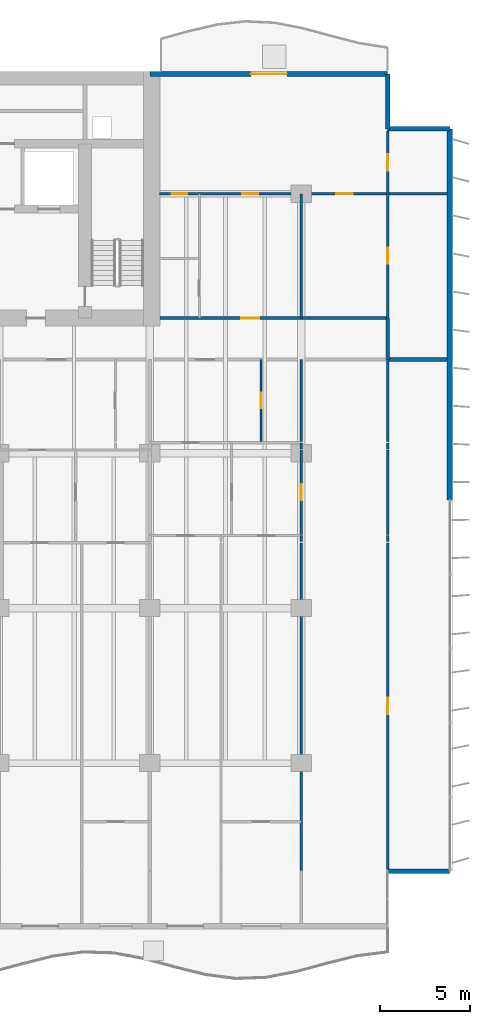
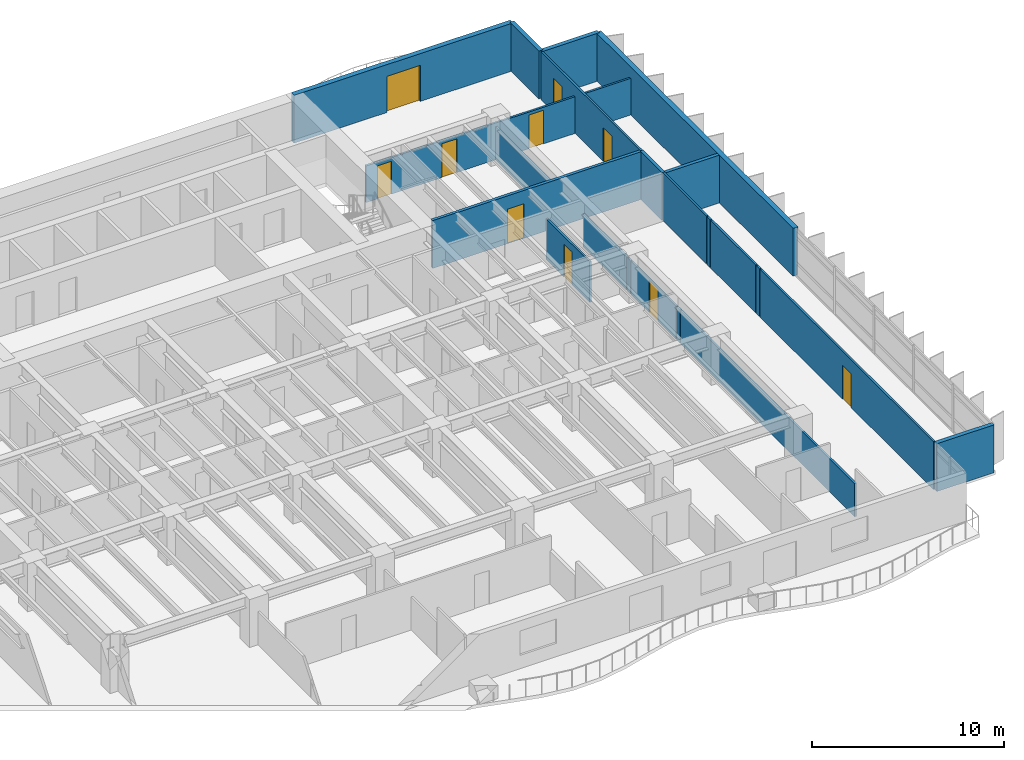
# One storey, part 12 of 17: 22 walls, 10 doors, 10 openings.
"""IFC4 building model written with IfcOpenShell, lengths in metres."""

from ifc_helpers import new_model, si_unit, direction, frame, frame_2d, origin, place, context, subcontext, project, spatial, rectangle, extrude, material, layer, layer_set, type_object, element, fill, save


model = new_model("IFC4")

# Units and contexts
model_context = context("Model", 3, precision=1e-05, world=origin(), true_north=direction((0.0, 1.0)))
body_context = subcontext(model_context, "Body", "Model", "MODEL_VIEW")
ifc_project = project(units=[si_unit("LENGTHUNIT", "METRE"), si_unit("AREAUNIT", "SQUARE_METRE"), si_unit("VOLUMEUNIT", "CUBIC_METRE"), si_unit("PLANEANGLEUNIT", "RADIAN"), si_unit("MASSUNIT", "GRAM", prefix="KILO")], contexts=[model_context])

# Site, building, storey
site_placement = place(None, origin())
site = spatial("IfcSite", under=ifc_project, at=site_placement, CompositionType="ELEMENT")
building_placement = place(site_placement, origin())
building = spatial("IfcBuilding", under=site, at=building_placement, Name="Caelmar Bay Residences", CompositionType="ELEMENT")
storey_placement = place(building_placement, frame((0.0, 0.0, 53.10009765625)))
storey = spatial("IfcBuildingStorey", under=building, at=storey_placement, Name="L13", CompositionType="ELEMENT", Elevation=53.10009765625)

# Wall
ifc_material_1 = material(Name="Double-stud acoustic fire-rated gypsum partition 180 mm")
ifc_layer_1 = layer(ifc_material_1, 0.179931640625)
ifc_layer_set_1 = layer_set([ifc_layer_1], Name="Double-stud acoustic fire-rated gypsum partition 180 mm")
wall_type_1 = type_object("IfcWallType", Name="W-COR-200", PredefinedType="PARTITIONING", material=ifc_layer_set_1)
wall_1_placement = place(storey_placement, frame((72.699951171875, 34.60498046875, 0.0), z_axis=(0.0, 0.0, 1.0), x_axis=(0.0, 1.0, 0.0)))
element("IfcWall", 1, at=wall_1_placement, inside=storey, type_object=wall_type_1, Name="L13 Partition Wall V111", PredefinedType="PARTITIONING", context=body_context, shape_type="SweptSolid", body=[
    extrude(rectangle(XDim=2.294921875, YDim=0.179931640625, at=frame_2d((1.1474609375, 0.0))), origin(), (0.0, 0.0, 1.0), 3.0498046875),
])

# Wall, opening, door
wall_2_placement = place(storey_placement, frame((60.054931640625, 36.89990234375, 0.0), z_axis=(0.0, 0.0, 1.0), x_axis=(1.0, 0.0, 0.0)))
wall_2 = element("IfcWall", 2, at=wall_2_placement, inside=storey, type_object=wall_type_1, Name="L13 Partition Wall H136", PredefinedType="PARTITIONING", context=body_context, shape_type="SweptSolid", body=[
    extrude(rectangle(XDim=12.64501953125, YDim=0.179931640625, at=frame_2d((6.322509765625, 0.0))), origin(), (0.0, 0.0, 1.0), 3.0498046875),
])
opening_1_placement = place(wall_2_placement, frame((4.52001953125, 0.0, 0.0)))
opening_1 = element("IfcOpeningElement", 3, at=opening_1_placement, cuts=wall_2, Name="Opening D-L13-174", PredefinedType="OPENING", context=body_context, shape_type="SweptSolid", body=[
    extrude(rectangle(XDim=1.0, YDim=2.199951171875, at=frame_2d((0.5, 1.10009765625))), frame((0.0, 0.099853515625, 0.0), z_axis=(0.0, -1.0, 0.0), x_axis=(1.0, 0.0, 0.0)), (0.0, 0.0, 1.0), 0.199951171875),
])
ifc_material_2 = material(Name="Fire-rated steel and walnut architectural door assembly", Category="steel")
ifc_layer_2 = layer(ifc_material_2, 0.050048828125)
ifc_layer_set_2 = layer_set([ifc_layer_2], Name="Fire-rated steel and walnut architectural door assembly")
door_type_1 = type_object("IfcDoorType", Name="D-UNIT-1000", OperationType="NOTDEFINED", PredefinedType="DOOR", material=ifc_layer_set_2)
door_1_placement = place(opening_1_placement, origin())
door_1 = element("IfcDoor", 4, at=door_1_placement, inside=storey, type_object=door_type_1, Name="L13 Residence EA Kitchen Door", OperationType="SINGLE_SWING_LEFT", OverallHeight=2.199951171875, OverallWidth=1.0, PredefinedType="DOOR", context=body_context, shape_type="SweptSolid", body=[
    extrude(rectangle(XDim=1.0, YDim=2.199951171875, at=frame_2d((0.5, 1.10009765625))), frame((0.0, 0.02490234375, 0.0), z_axis=(0.0, -1.0, 0.0), x_axis=(1.0, 0.0, 0.0)), (0.0, 0.0, 1.0), 0.050048828125),
])
fill(opening_1, door_1)

# Walls
ifc_material_3 = material(Name="Precast concrete f'c 40 MPa (6,000 psi)", Category="concrete")
ifc_layer_3 = layer(ifc_material_3, 0.25)
ifc_layer_set_3 = layer_set([ifc_layer_3], Name="Precast concrete f'c 40 MPa (6,000 psi)")
wall_type_2 = type_object("IfcWallType", Name="W-EXT-250", PredefinedType="ELEMENTEDWALL", material=ifc_layer_set_3)
wall_3_placement = place(storey_placement, frame((72.699951171875, 6.199951171875, 0.0), z_axis=(0.0, 0.0, 1.0), x_axis=(1.0, 0.0, 0.0)))
element("IfcWall", 5, at=wall_3_placement, inside=storey, type_object=wall_type_2, Name="L13 SE Notch Return Wall", PredefinedType="ELEMENTEDWALL", context=body_context, shape_type="SweptSolid", body=[
    extrude(rectangle(XDim=3.449951171875, YDim=0.25, at=frame_2d((1.72509765625, 0.0))), origin(), (0.0, 0.0, 1.0), 3.0498046875),
])
wall_4_placement = place(storey_placement, frame((72.699951171875, 50.449951171875, 0.0), z_axis=(0.0, 0.0, 1.0), x_axis=(0.0, -1.0, 0.0)))
element("IfcWall", 6, at=wall_4_placement, inside=storey, type_object=wall_type_2, Name="L13 NNE-V Notch Wall", PredefinedType="ELEMENTEDWALL", context=body_context, shape_type="SweptSolid", body=[
    extrude(rectangle(XDim=3.050048828125, YDim=0.25, at=frame_2d((1.52490234375, 0.0))), origin(), (0.0, 0.0, 1.0), 3.0498046875),
])
wall_5_placement = place(storey_placement, frame((72.699951171875, 47.39990234375, 0.0), z_axis=(0.0, 0.0, 1.0), x_axis=(1.0, 0.0, 0.0)))
element("IfcWall", 7, at=wall_5_placement, inside=storey, type_object=wall_type_2, Name="L13 NNE-H Notch Wall", PredefinedType="ELEMENTEDWALL", context=body_context, shape_type="SweptSolid", body=[
    extrude(rectangle(XDim=3.449951171875, YDim=0.25, at=frame_2d((1.72509765625, 0.0))), origin(), (0.0, 0.0, 1.0), 3.0498046875),
])
ifc_layer_4 = layer(ifc_material_3, 0.300048828125)
ifc_layer_set_4 = layer_set([ifc_layer_4], Name="Precast concrete f'c 40 MPa (6,000 psi)")
wall_type_3 = type_object("IfcWallType", Name="W-EXT-300", PredefinedType="STANDARD", material=ifc_layer_set_4)
wall_6_placement = place(storey_placement, frame((76.14990234375, 47.39990234375, 0.0), z_axis=(0.0, 0.0, 1.0), x_axis=(0.0, -1.0, 0.0)))
element("IfcWall", 8, at=wall_6_placement, inside=storey, type_object=wall_type_3, Name="L13 East Rear Exterior Wall", PredefinedType="STANDARD", context=body_context, shape_type="SweptSolid", body=[
    extrude(rectangle(XDim=20.599853515625, YDim=0.300048828125, at=frame_2d((10.2998046875, 0.0))), origin(), (0.0, 0.0, 1.0), 3.0498046875),
])

# Wall, opening, door
wall_7_placement = place(storey_placement, frame((59.5, 50.449951171875, 0.0), z_axis=(0.0, 0.0, 1.0), x_axis=(1.0, 0.0, 0.0)))
wall_7 = element("IfcWall", 9, at=wall_7_placement, inside=storey, type_object=wall_type_3, Name="L13 North-East Wing Exterior Wall", PredefinedType="STANDARD", context=body_context, shape_type="SweptSolid", body=[
    extrude(rectangle(XDim=13.199951171875, YDim=0.300048828125, at=frame_2d((6.60009765625, 0.0))), origin(), (0.0, 0.0, 1.0), 3.0498046875),
])
opening_2_placement = place(wall_7_placement, frame((5.60009765625, 0.0, 0.0)))
opening_2 = element("IfcOpeningElement", 10, at=opening_2_placement, cuts=wall_7, Name="Opening L13-BDNE", PredefinedType="OPENING", context=body_context, shape_type="SweptSolid", body=[
    extrude(rectangle(XDim=2.0, YDim=2.300048828125, at=frame_2d((1.0, 1.14990234375))), frame((0.0, 0.159912109375, 0.0), z_axis=(0.0, -1.0, 0.0), x_axis=(1.0, 0.0, 0.0)), (0.0, 0.0, 1.0), 0.320068359375),
])
ifc_material_4 = material(Name="Anodised bronze thermally broken sliding glass door", Category="glass")
ifc_layer_5 = layer(ifc_material_4, 0.050048828125)
ifc_layer_set_5 = layer_set([ifc_layer_5], Name="Anodised bronze thermally broken sliding glass door")
door_type_2 = type_object("IfcDoorType", Name="D-BAL-2000", OperationType="DOUBLE_DOOR_SLIDING", PredefinedType="DOOR", material=ifc_layer_set_5)
door_2_placement = place(opening_2_placement, origin())
door_2 = element("IfcDoor", 11, at=door_2_placement, inside=storey, type_object=door_type_2, Name="L13 North-East Balcony Door", OperationType="DOUBLE_DOOR_SLIDING", OverallHeight=2.300048828125, OverallWidth=2.0, PredefinedType="DOOR", context=body_context, shape_type="SweptSolid", body=[
    extrude(rectangle(XDim=2.0, YDim=2.300048828125, at=frame_2d((1.0, 1.14990234375))), frame((0.0, 0.02490234375, 0.0), z_axis=(0.0, -1.0, 0.0), x_axis=(1.0, 0.0, 0.0)), (0.0, 0.0, 1.0), 0.050048828125),
])
fill(opening_2, door_2)

ifc_material_5 = material(Name="Acoustic metal-stud gypsum partition 120 mm")
ifc_layer_6 = layer(ifc_material_5, 0.1201171875)
ifc_layer_set_6 = layer_set([ifc_layer_6], Name="Acoustic metal-stud gypsum partition 120 mm")
wall_type_4 = type_object("IfcWallType", Name="W-PRT-120", PredefinedType="PARTITIONING", material=ifc_layer_set_6)
wall_8_placement = place(storey_placement, frame((65.6708984375, 30.0400390625, 0.0), z_axis=(0.0, 0.0, 1.0), x_axis=(0.0, 1.0, 0.0)))
wall_8 = element("IfcWall", 12, at=wall_8_placement, inside=storey, type_object=wall_type_4, Name="L13 Partition Wall V098", PredefinedType="PARTITIONING", context=body_context, shape_type="SweptSolid", body=[
    extrude(rectangle(XDim=4.56005859375, YDim=0.1201171875, at=frame_2d((2.280029296875, 0.0))), origin(), (0.0, 0.0, 1.0), 2.577880859375),
])
opening_3_placement = place(wall_8_placement, frame((1.85498046875, 0.0, 0.0)))
opening_3 = element("IfcOpeningElement", 13, at=opening_3_placement, cuts=wall_8, Name="Opening D-L13-157", PredefinedType="OPENING", context=body_context, shape_type="SweptSolid", body=[
    extrude(rectangle(XDim=0.85009765625, YDim=2.10009765625, at=frame_2d((0.425048828125, 1.050048828125))), frame((0.0, 0.070068359375, 0.0), z_axis=(0.0, -1.0, 0.0), x_axis=(1.0, 0.0, 0.0)), (0.0, 0.0, 1.0), 0.14013671875),
])
ifc_material_6 = material(Name="Solid walnut timber interior door leaf and frame", Category="wood")
ifc_layer_7 = layer(ifc_material_6, 0.050048828125)
ifc_layer_set_7 = layer_set([ifc_layer_7], Name="Solid walnut timber interior door leaf and frame")
door_type_3 = type_object("IfcDoorType", Name="D-BATH-850", OperationType="NOTDEFINED", PredefinedType="DOOR", material=ifc_layer_set_7)
door_3_placement = place(opening_3_placement, origin())
door_3 = element("IfcDoor", 14, at=door_3_placement, inside=storey, type_object=door_type_3, Name="L13 Residence 05 Bathroom Door", OperationType="SINGLE_SWING_RIGHT", OverallHeight=2.10009765625, OverallWidth=0.85009765625, PredefinedType="DOOR", context=body_context, shape_type="SweptSolid", body=[
    extrude(rectangle(XDim=0.85009765625, YDim=2.10009765625, at=frame_2d((0.425048828125, 1.050048828125))), frame((0.0, 0.02490234375, 0.0), z_axis=(0.0, -1.0, 0.0), x_axis=(1.0, 0.0, 0.0)), (0.0, 0.0, 1.0), 0.050048828125),
])
fill(opening_3, door_3)

# Walls
wall_9_placement = place(storey_placement, frame((67.89990234375, 6.239990234375, 0.0), z_axis=(0.0, 0.0, 1.0), x_axis=(0.0, 1.0, 0.0)))
element("IfcWall", 15, at=wall_9_placement, inside=storey, type_object=wall_type_4, Name="L13 Partition Wall V100", PredefinedType="PARTITIONING", context=body_context, shape_type="SweptSolid", body=[
    extrude(rectangle(XDim=18.18994140625, YDim=0.1201171875, at=frame_2d((9.094970703125, 0.0))), origin(), (0.0, 0.0, 1.0), 2.10986328125),
])
wall_10_placement = place(storey_placement, frame((67.89990234375, 24.489990234375, 0.0), z_axis=(0.0, 0.0, 1.0), x_axis=(0.0, 1.0, 0.0)))
element("IfcWall", 16, at=wall_10_placement, inside=storey, type_object=wall_type_4, Name="L13 Partition Wall V101", PredefinedType="PARTITIONING", context=body_context, shape_type="SweptSolid", body=[
    extrude(rectangle(XDim=0.340087890625, YDim=0.1201171875, at=frame_2d((0.169921875, 0.0))), origin(), (0.0, 0.0, 1.0), 2.10986328125),
])

# Wall, opening, door
wall_11_placement = place(storey_placement, frame((67.89990234375, 24.889892578125, 0.0), z_axis=(0.0, 0.0, 1.0), x_axis=(0.0, 1.0, 0.0)))
wall_11 = element("IfcWall", 17, at=wall_11_placement, inside=storey, type_object=wall_type_4, Name="L13 Partition Wall V102", PredefinedType="PARTITIONING", context=body_context, shape_type="SweptSolid", body=[
    extrude(rectangle(XDim=4.690185546875, YDim=0.1201171875, at=frame_2d((2.34521484375, 0.0))), origin(), (0.0, 0.0, 1.0), 2.10986328125),
])
opening_4_placement = place(wall_11_placement, frame((1.89501953125, 0.0, 0.0)))
opening_4 = element("IfcOpeningElement", 18, at=opening_4_placement, cuts=wall_11, Name="Opening D-L13-163", PredefinedType="OPENING", context=body_context, shape_type="SweptSolid", body=[
    extrude(rectangle(XDim=0.89990234375, YDim=2.06005859375, at=frame_2d((0.449951171875, 1.030029296875))), frame((0.0, 0.070068359375, 0.0), z_axis=(0.0, -1.0, 0.0), x_axis=(1.0, 0.0, 0.0)), (0.0, 0.0, 1.0), 0.14013671875),
])
ifc_layer_8 = layer(ifc_material_6, 0.050048828125)
ifc_layer_set_8 = layer_set([ifc_layer_8], Name="Solid walnut timber interior door leaf and frame")
door_type_4 = type_object("IfcDoorType", Name="D-ROOM-900", OperationType="NOTDEFINED", PredefinedType="DOOR", material=ifc_layer_set_8)
door_4_placement = place(opening_4_placement, origin())
door_4 = element("IfcDoor", 19, at=door_4_placement, inside=storey, type_object=door_type_4, Name="L13 Residence 05 East Apartment Hall Door", OperationType="SINGLE_SWING_RIGHT", OverallHeight=2.06005859375, OverallWidth=0.89990234375, PredefinedType="DOOR", context=body_context, shape_type="SweptSolid", body=[
    extrude(rectangle(XDim=0.89990234375, YDim=2.06005859375, at=frame_2d((0.449951171875, 1.030029296875))), frame((0.0, 0.02490234375, 0.0), z_axis=(0.0, -1.0, 0.0), x_axis=(1.0, 0.0, 0.0)), (0.0, 0.0, 1.0), 0.050048828125),
])
fill(opening_4, door_4)

# Walls
wall_12_placement = place(storey_placement, frame((67.89990234375, 29.639892578125, 0.0), z_axis=(0.0, 0.0, 1.0), x_axis=(0.0, 1.0, 0.0)))
element("IfcWall", 20, at=wall_12_placement, inside=storey, type_object=wall_type_4, Name="L13 Partition Wall V103", PredefinedType="PARTITIONING", context=body_context, shape_type="SweptSolid", body=[
    extrude(rectangle(XDim=0.340087890625, YDim=0.1201171875, at=frame_2d((0.169921875, 0.0))), origin(), (0.0, 0.0, 1.0), 2.10986328125),
])
wall_13_placement = place(storey_placement, frame((67.89990234375, 30.0400390625, 0.0), z_axis=(0.0, 0.0, 1.0), x_axis=(0.0, 1.0, 0.0)))
element("IfcWall", 21, at=wall_13_placement, inside=storey, type_object=wall_type_4, Name="L13 Partition Wall V104", PredefinedType="PARTITIONING", context=body_context, shape_type="SweptSolid", body=[
    extrude(rectangle(XDim=4.56005859375, YDim=0.1201171875, at=frame_2d((2.280029296875, 0.0))), origin(), (0.0, 0.0, 1.0), 2.10986328125),
])
wall_14_placement = place(storey_placement, frame((67.89990234375, 36.89990234375, 0.0), z_axis=(0.0, 0.0, 1.0), x_axis=(0.0, 1.0, 0.0)))
element("IfcWall", 22, at=wall_14_placement, inside=storey, type_object=wall_type_4, Name="L13 Partition Wall V105", PredefinedType="PARTITIONING", context=body_context, shape_type="SweptSolid", body=[
    extrude(rectangle(XDim=6.900146484375, YDim=0.1201171875, at=frame_2d((3.4501953125, 0.0))), origin(), (0.0, 0.0, 1.0), 2.10986328125),
])

# Wall, opening, door
wall_15_placement = place(storey_placement, frame((72.699951171875, 6.320068359375, 0.0), z_axis=(0.0, 0.0, 1.0), x_axis=(0.0, 1.0, 0.0)))
wall_15 = element("IfcWall", 23, at=wall_15_placement, inside=storey, type_object=wall_type_4, Name="L13 Partition Wall V106", PredefinedType="PARTITIONING", context=body_context, shape_type="SweptSolid", body=[
    extrude(rectangle(XDim=18.10986328125, YDim=0.1201171875, at=frame_2d((9.054931640625, 0.0))), origin(), (0.0, 0.0, 1.0), 3.0498046875),
])
opening_5_placement = place(wall_15_placement, frame((8.60498046875, 0.0, 0.0)))
opening_5 = element("IfcOpeningElement", 24, at=opening_5_placement, cuts=wall_15, Name="Opening D-L13-165", PredefinedType="OPENING", context=body_context, shape_type="SweptSolid", body=[
    extrude(rectangle(XDim=0.89990234375, YDim=2.14990234375, at=frame_2d((0.449951171875, 1.074951171875))), frame((0.0, 0.070068359375, 0.0), z_axis=(0.0, -1.0, 0.0), x_axis=(1.0, 0.0, 0.0)), (0.0, 0.0, 1.0), 0.14013671875),
])
door_5_placement = place(opening_5_placement, origin())
door_5 = element("IfcDoor", 25, at=door_5_placement, inside=storey, type_object=door_type_4, Name="L13 Residence 05 Penthouse East Salon Door", OperationType="SINGLE_SWING_RIGHT", OverallHeight=2.14990234375, OverallWidth=0.89990234375, PredefinedType="DOOR", context=body_context, shape_type="SweptSolid", body=[
    extrude(rectangle(XDim=0.89990234375, YDim=2.14990234375, at=frame_2d((0.449951171875, 1.074951171875))), frame((0.0, 0.02490234375, 0.0), z_axis=(0.0, -1.0, 0.0), x_axis=(1.0, 0.0, 0.0)), (0.0, 0.0, 1.0), 0.050048828125),
])
fill(opening_5, door_5)

# Walls
wall_16_placement = place(storey_placement, frame((72.699951171875, 24.489990234375, 0.0), z_axis=(0.0, 0.0, 1.0), x_axis=(0.0, 1.0, 0.0)))
element("IfcWall", 26, at=wall_16_placement, inside=storey, type_object=wall_type_4, Name="L13 Partition Wall V107", PredefinedType="PARTITIONING", context=body_context, shape_type="SweptSolid", body=[
    extrude(rectangle(XDim=0.340087890625, YDim=0.1201171875, at=frame_2d((0.169921875, 0.0))), origin(), (0.0, 0.0, 1.0), 3.0498046875),
])
wall_17_placement = place(storey_placement, frame((72.699951171875, 24.889892578125, 0.0), z_axis=(0.0, 0.0, 1.0), x_axis=(0.0, 1.0, 0.0)))
element("IfcWall", 27, at=wall_17_placement, inside=storey, type_object=wall_type_4, Name="L13 Partition Wall V108", PredefinedType="PARTITIONING", context=body_context, shape_type="SweptSolid", body=[
    extrude(rectangle(XDim=4.690185546875, YDim=0.1201171875, at=frame_2d((2.34521484375, 0.0))), origin(), (0.0, 0.0, 1.0), 3.0498046875),
])
wall_18_placement = place(storey_placement, frame((72.699951171875, 29.639892578125, 0.0), z_axis=(0.0, 0.0, 1.0), x_axis=(0.0, 1.0, 0.0)))
element("IfcWall", 28, at=wall_18_placement, inside=storey, type_object=wall_type_4, Name="L13 Partition Wall V109", PredefinedType="PARTITIONING", context=body_context, shape_type="SweptSolid", body=[
    extrude(rectangle(XDim=0.340087890625, YDim=0.1201171875, at=frame_2d((0.169921875, 0.0))), origin(), (0.0, 0.0, 1.0), 3.0498046875),
])
wall_19_placement = place(storey_placement, frame((72.699951171875, 30.0400390625, 0.0), z_axis=(0.0, 0.0, 1.0), x_axis=(0.0, 1.0, 0.0)))
element("IfcWall", 29, at=wall_19_placement, inside=storey, type_object=wall_type_4, Name="L13 Partition Wall V110", PredefinedType="PARTITIONING", context=body_context, shape_type="SweptSolid", body=[
    extrude(rectangle(XDim=4.56005859375, YDim=0.1201171875, at=frame_2d((2.280029296875, 0.0))), origin(), (0.0, 0.0, 1.0), 3.0498046875),
])

# Wall, openings, doors
wall_20_placement = place(storey_placement, frame((72.699951171875, 36.905029296875, 0.0), z_axis=(0.0, 0.0, 1.0), x_axis=(0.0, 1.0, 0.0)))
wall_20 = element("IfcWall", 30, at=wall_20_placement, inside=storey, type_object=wall_type_4, Name="L13 Partition Wall V112", PredefinedType="PARTITIONING", context=body_context, shape_type="SweptSolid", body=[
    extrude(rectangle(XDim=10.375, YDim=0.1201171875, at=frame_2d((5.1875, 0.0))), origin(), (0.0, 0.0, 1.0), 3.0498046875),
])
opening_6_placement = place(wall_20_placement, frame((2.99755859375, 0.0, 0.0)))
opening_6 = element("IfcOpeningElement", 31, at=opening_6_placement, cuts=wall_20, Name="Opening D-L13-178", PredefinedType="OPENING", context=body_context, shape_type="SweptSolid", body=[
    extrude(rectangle(XDim=0.89990234375, YDim=2.14990234375, at=frame_2d((0.449951171875, 1.074951171875))), frame((0.0, 0.070068359375, 0.0), z_axis=(0.0, -1.0, 0.0), x_axis=(1.0, 0.0, 0.0)), (0.0, 0.0, 1.0), 0.14013671875),
])
opening_7_placement = place(wall_20_placement, frame((8.18505859375, 0.0, 0.0)))
opening_7 = element("IfcOpeningElement", 32, at=opening_7_placement, cuts=wall_20, Name="Opening D-L13-179", PredefinedType="OPENING", context=body_context, shape_type="SweptSolid", body=[
    extrude(rectangle(XDim=0.89990234375, YDim=2.14990234375, at=frame_2d((0.449951171875, 1.074951171875))), frame((0.0, 0.070068359375, 0.0), z_axis=(0.0, -1.0, 0.0), x_axis=(1.0, 0.0, 0.0)), (0.0, 0.0, 1.0), 0.14013671875),
])
door_6_placement = place(opening_6_placement, origin())
door_6 = element("IfcDoor", 33, at=door_6_placement, inside=storey, type_object=door_type_4, Name="L13 Residence EA Sun Study Door", OperationType="SINGLE_SWING_LEFT", OverallHeight=2.14990234375, OverallWidth=0.89990234375, PredefinedType="DOOR", context=body_context, shape_type="SweptSolid", body=[
    extrude(rectangle(XDim=0.89990234375, YDim=2.14990234375, at=frame_2d((0.449951171875, 1.074951171875))), frame((0.0, 0.02490234375, 0.0), z_axis=(0.0, -1.0, 0.0), x_axis=(1.0, 0.0, 0.0)), (0.0, 0.0, 1.0), 0.050048828125),
])
fill(opening_6, door_6)
door_7_placement = place(opening_7_placement, origin())
door_7 = element("IfcDoor", 34, at=door_7_placement, inside=storey, type_object=door_type_4, Name="L13 Residence EA North Sitting Alcove Door", OperationType="SINGLE_SWING_RIGHT", OverallHeight=2.14990234375, OverallWidth=0.89990234375, PredefinedType="DOOR", context=body_context, shape_type="SweptSolid", body=[
    extrude(rectangle(XDim=0.89990234375, YDim=2.14990234375, at=frame_2d((0.449951171875, 1.074951171875))), frame((0.0, 0.02490234375, 0.0), z_axis=(0.0, -1.0, 0.0), x_axis=(1.0, 0.0, 0.0)), (0.0, 0.0, 1.0), 0.050048828125),
])
fill(opening_7, door_7)

wall_21_placement = place(storey_placement, frame((60.044921875, 43.800048828125, 0.0), z_axis=(0.0, 0.0, 1.0), x_axis=(1.0, 0.0, 0.0)))
wall_21 = element("IfcWall", 35, at=wall_21_placement, inside=storey, type_object=wall_type_4, Name="L13 Partition Wall H140", PredefinedType="PARTITIONING", context=body_context, shape_type="SweptSolid", body=[
    extrude(rectangle(XDim=15.9599609375, YDim=0.1201171875, at=frame_2d((7.97998046875, 0.0))), origin(), (0.0, 0.0, 1.0), 2.3388671875),
])
opening_8_placement = place(wall_21_placement, frame((9.804931640625, 0.0, 0.0)))
opening_8 = element("IfcOpeningElement", 36, at=opening_8_placement, cuts=wall_21, Name="Opening D-L13-173", PredefinedType="OPENING", context=body_context, shape_type="SweptSolid", body=[
    extrude(rectangle(XDim=0.89990234375, YDim=2.14990234375, at=frame_2d((0.449951171875, 1.074951171875))), frame((0.0, 0.070068359375, 0.0), z_axis=(0.0, -1.0, 0.0), x_axis=(1.0, 0.0, 0.0)), (0.0, 0.0, 1.0), 0.14013671875),
])
opening_9_placement = place(wall_21_placement, frame((4.580078125, 0.0, 0.0)))
opening_9 = element("IfcOpeningElement", 37, at=opening_9_placement, cuts=wall_21, Name="Opening D-L13-175", PredefinedType="OPENING", context=body_context, shape_type="SweptSolid", body=[
    extrude(rectangle(XDim=0.89990234375, YDim=2.14990234375, at=frame_2d((0.449951171875, 1.074951171875))), frame((0.0, 0.070068359375, 0.0), z_axis=(0.0, -1.0, 0.0), x_axis=(1.0, 0.0, 0.0)), (0.0, 0.0, 1.0), 0.14013671875),
])
opening_10_placement = place(wall_21_placement, frame((0.677490234375, 0.0, 0.0)))
opening_10 = element("IfcOpeningElement", 38, at=opening_10_placement, cuts=wall_21, Name="Opening D-L13-177", PredefinedType="OPENING", context=body_context, shape_type="SweptSolid", body=[
    extrude(rectangle(XDim=0.85009765625, YDim=2.10009765625, at=frame_2d((0.425048828125, 1.050048828125))), frame((0.0, 0.070068359375, 0.0), z_axis=(0.0, -1.0, 0.0), x_axis=(1.0, 0.0, 0.0)), (0.0, 0.0, 1.0), 0.14013671875),
])
door_8_placement = place(opening_10_placement, origin())
door_8 = element("IfcDoor", 39, at=door_8_placement, inside=storey, type_object=door_type_3, Name="L13 Residence EA Bathroom Door", OperationType="SINGLE_SWING_RIGHT", OverallHeight=2.10009765625, OverallWidth=0.85009765625, PredefinedType="DOOR", context=body_context, shape_type="SweptSolid", body=[
    extrude(rectangle(XDim=0.85009765625, YDim=2.10009765625, at=frame_2d((0.425048828125, 1.050048828125))), frame((0.0, 0.02490234375, 0.0), z_axis=(0.0, -1.0, 0.0), x_axis=(1.0, 0.0, 0.0)), (0.0, 0.0, 1.0), 0.050048828125),
])
fill(opening_10, door_8)
door_9_placement = place(opening_8_placement, origin())
door_9 = element("IfcDoor", 40, at=door_9_placement, inside=storey, type_object=door_type_4, Name="L13 Residence EA Study Door", OperationType="SINGLE_SWING_RIGHT", OverallHeight=2.14990234375, OverallWidth=0.89990234375, PredefinedType="DOOR", context=body_context, shape_type="SweptSolid", body=[
    extrude(rectangle(XDim=0.89990234375, YDim=2.14990234375, at=frame_2d((0.449951171875, 1.074951171875))), frame((0.0, 0.02490234375, 0.0), z_axis=(0.0, -1.0, 0.0), x_axis=(1.0, 0.0, 0.0)), (0.0, 0.0, 1.0), 0.050048828125),
])
fill(opening_8, door_9)
door_10_placement = place(opening_9_placement, origin())
door_10 = element("IfcDoor", 41, at=door_10_placement, inside=storey, type_object=door_type_4, Name="L13 Residence EA Studio Living and Sleeping Room Door", OperationType="SINGLE_SWING_RIGHT", OverallHeight=2.14990234375, OverallWidth=0.89990234375, PredefinedType="DOOR", context=body_context, shape_type="SweptSolid", body=[
    extrude(rectangle(XDim=0.89990234375, YDim=2.14990234375, at=frame_2d((0.449951171875, 1.074951171875))), frame((0.0, 0.02490234375, 0.0), z_axis=(0.0, -1.0, 0.0), x_axis=(1.0, 0.0, 0.0)), (0.0, 0.0, 1.0), 0.050048828125),
])
fill(opening_9, door_10)

# Wall
ifc_material_7 = material(Name="Acoustic twin-stud fire-rated inter-tenancy partition 200 mm")
ifc_layer_9 = layer(ifc_material_7, 0.199951171875)
ifc_layer_set_9 = layer_set([ifc_layer_9], Name="Acoustic twin-stud fire-rated inter-tenancy partition 200 mm")
wall_type_5 = type_object("IfcWallType", Name="W-PTY-200", PredefinedType="PARTITIONING", material=ifc_layer_set_9)
wall_22_placement = place(storey_placement, frame((72.705078125, 34.60009765625, 0.0), z_axis=(0.0, 0.0, 1.0), x_axis=(1.0, 0.0, 0.0)))
element("IfcWall", 42, at=wall_22_placement, inside=storey, type_object=wall_type_5, Name="L13 Partition Wall H134", PredefinedType="PARTITIONING", context=body_context, shape_type="SweptSolid", body=[
    extrude(rectangle(XDim=3.2998046875, YDim=0.199951171875, at=frame_2d((1.64990234375, 0.0))), origin(), (0.0, 0.0, 1.0), 3.0498046875),
])

save(model, "model.ifc")
